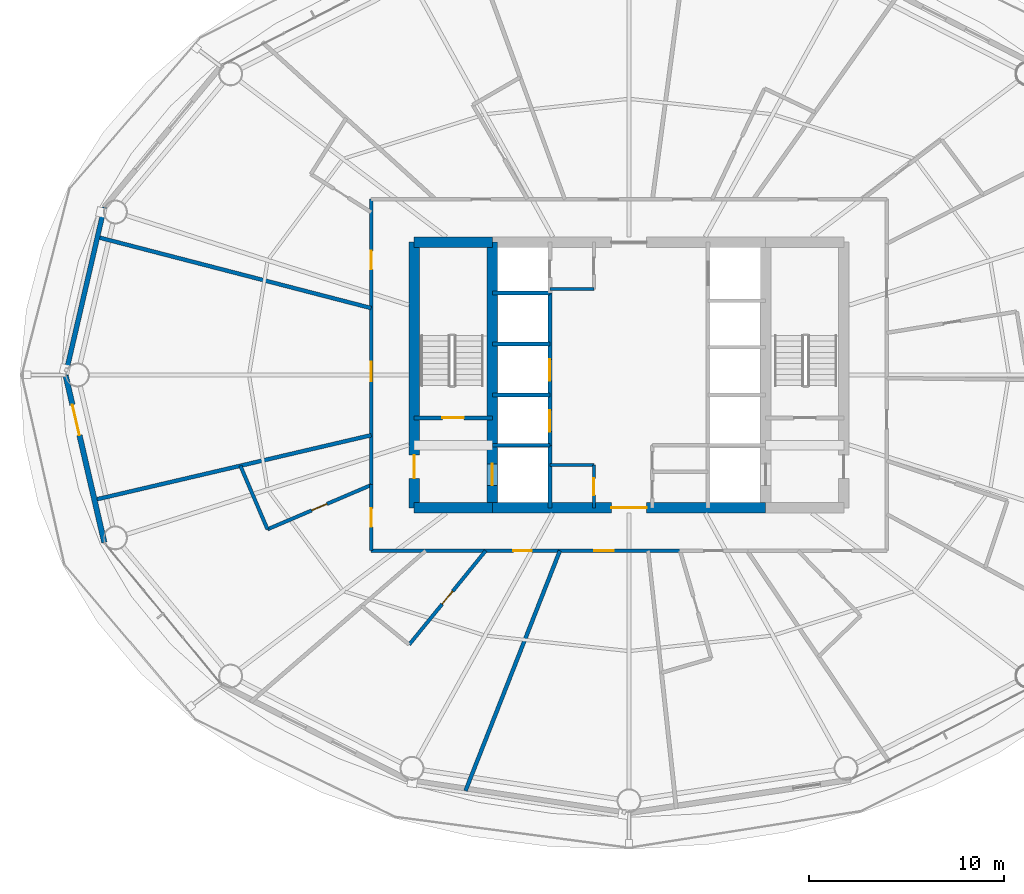
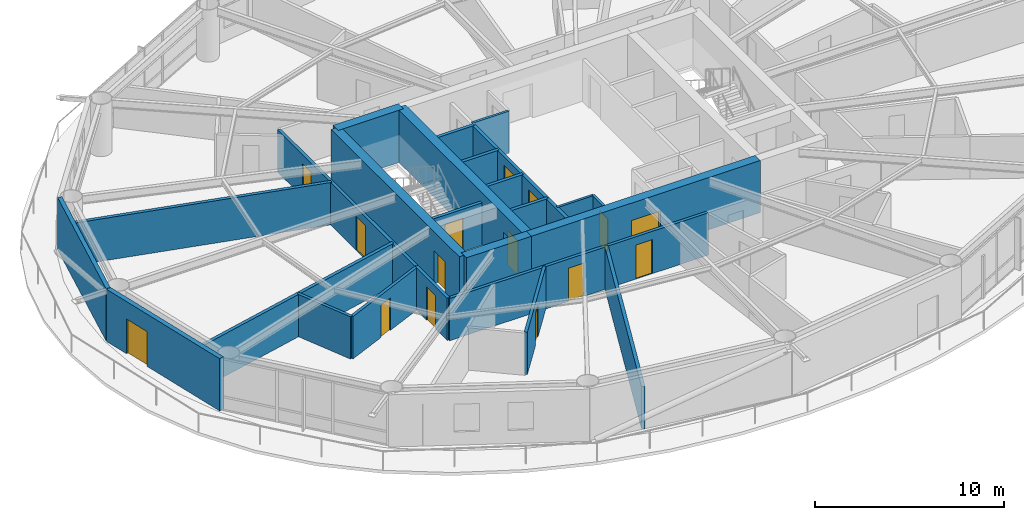
# One storey, part 18 of 24: 26 walls, 15 doors, 15 openings.
"""IFC4 building model written with IfcOpenShell, lengths in metres."""

from ifc_helpers import new_model, si_unit, direction, frame, frame_2d, origin, place, context, subcontext, project, spatial, rectangle, extrude, material, layer, layer_set, type_object, element, fill, save


model = new_model("IFC4")

# Units and contexts
model_context = context("Model", 3, precision=1e-05, world=origin(), true_north=direction((0.0, 1.0)))
body_context = subcontext(model_context, "Body", "Model", "MODEL_VIEW")
ifc_project = project(units=[si_unit("LENGTHUNIT", "METRE"), si_unit("AREAUNIT", "SQUARE_METRE"), si_unit("VOLUMEUNIT", "CUBIC_METRE"), si_unit("PLANEANGLEUNIT", "RADIAN"), si_unit("MASSUNIT", "GRAM", prefix="KILO")], contexts=[model_context])

# Site, building, storey
site_placement = place(None, origin())
site = spatial("IfcSite", under=ifc_project, at=site_placement, CompositionType="ELEMENT")
building_placement = place(site_placement, origin())
building = spatial("IfcBuilding", under=site, at=building_placement, Name="Sarneth Arch Tower", CompositionType="ELEMENT")
storey_placement = place(building_placement, frame((0.0, 0.0, 105.60009765625)))
storey = spatial("IfcBuildingStorey", under=building, at=storey_placement, Name="L26", CompositionType="ELEMENT", Elevation=105.60009765625)

# Wall
ifc_material_1 = material(Name="Concrete C60/75", Category="concrete")
ifc_layer_1 = layer(ifc_material_1, 0.550048828125)
ifc_layer_set_1 = layer_set([ifc_layer_1], Name="Concrete C60/75")
wall_type_1 = type_object("IfcWallType", Name="WALL-CORE-550", PredefinedType="SHEAR", material=ifc_layer_set_1)
wall_1_placement = place(storey_placement, frame((37.0, 35.199951171875, 0.0), z_axis=(0.0, 0.0, 1.0), x_axis=(1.0, 0.0, 0.0)))
element("IfcWall", 1, at=wall_1_placement, inside=storey, type_object=wall_type_1, Name="L26 Core shear wall S-W", PredefinedType="SHEAR", context=body_context, shape_type="SweptSolid", body=[
    extrude(rectangle(XDim=4.0, YDim=0.550048828125, at=frame_2d((2.0, 0.0))), origin(), (0.0, 0.0, 1.0), 3.3798828125),
])

# Wall, opening, door
wall_2_placement = place(storey_placement, frame((41.0, 35.199951171875, 0.0), z_axis=(0.0, 0.0, 1.0), x_axis=(1.0, 0.0, 0.0)))
wall_2 = element("IfcWall", 2, at=wall_2_placement, inside=storey, type_object=wall_type_1, Name="L26 Core shear wall S-M", PredefinedType="SHEAR", context=body_context, shape_type="SweptSolid", body=[
    extrude(rectangle(XDim=14.0, YDim=0.550048828125, at=frame_2d((7.0, 0.0))), origin(), (0.0, 0.0, 1.0), 3.3798828125),
])
opening_1_placement = place(wall_2_placement, frame((6.10009765625, 0.0, 0.0)))
opening_1 = element("IfcOpeningElement", 3, at=opening_1_placement, cuts=wall_2, Name="Opening FD-01", PredefinedType="OPENING", context=body_context, shape_type="SweptSolid", body=[
    extrude(rectangle(XDim=1.800048828125, YDim=2.25, at=frame_2d((0.89990234375, 1.125))), frame((0.0, 0.284912109375, 0.0), z_axis=(0.0, -1.0, 0.0), x_axis=(1.0, 0.0, 0.0)), (0.0, 0.0, 1.0), 0.570068359375),
])
ifc_material_2 = material(Name="Galvanised Steel S275 fire door set", Category="steel")
door_type_1 = type_object("IfcDoorType", Name="DR-FD90-1800", OperationType="DOUBLE_DOOR_SINGLE_SWING", PredefinedType="DOOR", material=ifc_material_2)
door_1_placement = place(opening_1_placement, origin())
door_1 = element("IfcDoor", 4, at=door_1_placement, inside=storey, type_object=door_type_1, Name="L26 Central lift lobby south door", OperationType="DOUBLE_DOOR_SINGLE_SWING", OverallHeight=2.25, OverallWidth=1.800048828125, PredefinedType="DOOR", context=body_context, shape_type="SweptSolid", body=[
    extrude(rectangle(XDim=1.800048828125, YDim=2.25, at=frame_2d((0.89990234375, 1.125))), frame((0.0, 0.02490234375, 0.0), z_axis=(0.0, -1.0, 0.0), x_axis=(1.0, 0.0, 0.0)), (0.0, 0.0, 1.0), 0.050048828125),
])
fill(opening_1, door_1)

# Wall
wall_3_placement = place(storey_placement, frame((37.0, 48.800048828125, 0.0), z_axis=(0.0, 0.0, 1.0), x_axis=(1.0, 0.0, 0.0)))
element("IfcWall", 5, at=wall_3_placement, inside=storey, type_object=wall_type_1, Name="L26 Core shear wall N-W", PredefinedType="SHEAR", context=body_context, shape_type="SweptSolid", body=[
    extrude(rectangle(XDim=4.0, YDim=0.550048828125, at=frame_2d((2.0, 0.0))), origin(), (0.0, 0.0, 1.0), 3.3798828125),
])

# Wall, opening, door
wall_4_placement = place(storey_placement, frame((37.0, 35.199951171875, 0.0), z_axis=(0.0, 0.0, 1.0), x_axis=(0.0, 1.0, 0.0)))
wall_4 = element("IfcWall", 6, at=wall_4_placement, inside=storey, type_object=wall_type_1, Name="L26 Core shear wall W", PredefinedType="SHEAR", context=body_context, shape_type="SweptSolid", body=[
    extrude(rectangle(XDim=13.60009765625, YDim=0.550048828125, at=frame_2d((6.800048828125, 0.0))), origin(), (0.0, 0.0, 1.0), 3.3798828125),
])
opening_2_placement = place(wall_4_placement, frame((1.5, 0.0, 0.0)))
opening_2 = element("IfcOpeningElement", 7, at=opening_2_placement, cuts=wall_4, Name="Opening FD-02", PredefinedType="OPENING", context=body_context, shape_type="SweptSolid", body=[
    extrude(rectangle(XDim=1.199951171875, YDim=2.14990234375, at=frame_2d((0.60009765625, 1.074951171875))), frame((0.0, 0.284912109375, 0.0), z_axis=(0.0, -1.0, 0.0), x_axis=(1.0, 0.0, 0.0)), (0.0, 0.0, 1.0), 0.570068359375),
])
ifc_material_3 = material(Name="Galvanised Steel S275 fire door set", Category="steel")
door_type_2 = type_object("IfcDoorType", Name="DR-FD90-1200", OperationType="SINGLE_SWING_LEFT", PredefinedType="DOOR", material=ifc_material_3)
door_2_placement = place(opening_2_placement, origin())
door_2 = element("IfcDoor", 8, at=door_2_placement, inside=storey, type_object=door_type_2, Name="L26 Firefighting lobby 1 exit door", OperationType="SINGLE_SWING_LEFT", OverallHeight=2.14990234375, OverallWidth=1.199951171875, PredefinedType="DOOR", context=body_context, shape_type="SweptSolid", body=[
    extrude(rectangle(XDim=1.199951171875, YDim=2.14990234375, at=frame_2d((0.60009765625, 1.074951171875))), frame((0.0, 0.02490234375, 0.0), z_axis=(0.0, -1.0, 0.0), x_axis=(1.0, 0.0, 0.0)), (0.0, 0.0, 1.0), 0.050048828125),
])
fill(opening_2, door_2)

wall_5_placement = place(storey_placement, frame((41.0, 35.199951171875, 0.0), z_axis=(0.0, 0.0, 1.0), x_axis=(0.0, 1.0, 0.0)))
wall_5 = element("IfcWall", 9, at=wall_5_placement, inside=storey, type_object=wall_type_1, Name="L26 Core shear wall WEB-W", PredefinedType="SHEAR", context=body_context, shape_type="SweptSolid", body=[
    extrude(rectangle(XDim=13.60009765625, YDim=0.550048828125, at=frame_2d((6.800048828125, 0.0))), origin(), (0.0, 0.0, 1.0), 3.3798828125),
])
opening_3_placement = place(wall_5_placement, frame((1.14990234375, 0.0, 0.0)))
opening_3 = element("IfcOpeningElement", 10, at=opening_3_placement, cuts=wall_5, Name="Opening LD-1", PredefinedType="OPENING", context=body_context, shape_type="SweptSolid", body=[
    extrude(rectangle(XDim=1.10009765625, YDim=2.199951171875, at=frame_2d((0.550048828125, 1.10009765625))), frame((0.0, 0.284912109375, 0.0), z_axis=(0.0, -1.0, 0.0), x_axis=(1.0, 0.0, 0.0)), (0.0, 0.0, 1.0), 0.570068359375),
])
ifc_material_4 = material(Name="Brushed Stainless Steel 304 lift landing door", Category="steel")
door_type_3 = type_object("IfcDoorType", Name="DR-LIFT-SLIDE-1100", OperationType="SLIDING_TO_LEFT", PredefinedType="DOOR", material=ifc_material_4)
door_3_placement = place(opening_3_placement, origin())
door_3 = element("IfcDoor", 11, at=door_3_placement, inside=storey, type_object=door_type_3, Name="L26 Firefighting lift landing door FL-1", OperationType="SLIDING_TO_LEFT", OverallHeight=2.199951171875, OverallWidth=1.10009765625, PredefinedType="DOOR", context=body_context, shape_type="SweptSolid", body=[
    extrude(rectangle(XDim=1.10009765625, YDim=2.199951171875, at=frame_2d((0.550048828125, 1.10009765625))), frame((0.0, 0.02490234375, 0.0), z_axis=(0.0, -1.0, 0.0), x_axis=(1.0, 0.0, 0.0)), (0.0, 0.0, 1.0), 0.050048828125),
])
fill(opening_3, door_3)

# Wall, openings, doors
ifc_material_5 = material(Name="Double steel-stud corridor fire wall", Category="steel")
ifc_layer_2 = layer(ifc_material_5, 0.18994140625)
ifc_layer_set_2 = layer_set([ifc_layer_2], Name="Double steel-stud corridor fire wall")
wall_type_2 = type_object("IfcWallType", Name="WALL-CORR-190", PredefinedType="PARTITIONING", material=ifc_layer_set_2)
wall_6_placement = place(storey_placement, frame((34.800048828125, 36.32861328125, 0.0), z_axis=(0.0, 0.0, 1.0), x_axis=(0.0, 1.0, 0.0)))
wall_6 = element("IfcWall", 12, at=wall_6_placement, inside=storey, type_object=wall_type_2, Name="L26 Interior partition W-L26-TP-012", PredefinedType="PARTITIONING", context=body_context, shape_type="SweptSolid", body=[
    extrude(rectangle(XDim=14.67138671875, YDim=0.18994140625, at=frame_2d((7.335693359375, 0.0))), origin(), (0.0, 0.0, 1.0), 2.739990234375),
])
opening_4_placement = place(wall_6_placement, frame((5.3408203125, 0.0, 0.0)))
opening_4 = element("IfcOpeningElement", 13, at=opening_4_placement, cuts=wall_6, Name="Opening FD-08", PredefinedType="OPENING", context=body_context, shape_type="SweptSolid", body=[
    extrude(rectangle(XDim=1.0, YDim=2.199951171875, at=frame_2d((0.5, 1.10009765625))), frame((0.0, 0.10498046875, 0.0), z_axis=(0.0, -1.0, 0.0), x_axis=(1.0, 0.0, 0.0)), (0.0, 0.0, 1.0), 0.2099609375),
])
opening_5_placement = place(wall_6_placement, frame((11.076416015625, 0.0, 0.0)))
opening_5 = element("IfcOpeningElement", 14, at=opening_5_placement, cuts=wall_6, Name="Opening FD-09", PredefinedType="OPENING", context=body_context, shape_type="SweptSolid", body=[
    extrude(rectangle(XDim=0.949951171875, YDim=2.14990234375, at=frame_2d((0.47509765625, 1.074951171875))), frame((0.0, 0.10498046875, 0.0), z_axis=(0.0, -1.0, 0.0), x_axis=(1.0, 0.0, 0.0)), (0.0, 0.0, 1.0), 0.2099609375),
])
ifc_material_6 = material(Name="Hardwood timber acoustic fire door", Category="wood")
door_type_4 = type_object("IfcDoorType", Name="DR-FD60-1000", OperationType="SINGLE_SWING_LEFT", PredefinedType="DOOR", material=ifc_material_6)
door_4_placement = place(opening_4_placement, origin())
door_4 = element("IfcDoor", 15, at=door_4_placement, inside=storey, type_object=door_type_4, Name="L26 Interior door DR-L26-AMN-06", OperationType="SINGLE_SWING_RIGHT", OverallHeight=2.199951171875, OverallWidth=1.0, PredefinedType="DOOR", context=body_context, shape_type="SweptSolid", body=[
    extrude(rectangle(XDim=1.0, YDim=2.199951171875, at=frame_2d((0.5, 1.10009765625))), frame((0.0, 0.02490234375, 0.0), z_axis=(0.0, -1.0, 0.0), x_axis=(1.0, 0.0, 0.0)), (0.0, 0.0, 1.0), 0.050048828125),
])
fill(opening_4, door_4)
ifc_material_7 = material(Name="Hardwood timber hotel entrance fire door", Category="wood")
door_type_5 = type_object("IfcDoorType", Name="DR-FD60-950", OperationType="SINGLE_SWING_RIGHT", PredefinedType="DOOR", material=ifc_material_7)
door_5_placement = place(opening_5_placement, origin())
door_5 = element("IfcDoor", 16, at=door_5_placement, inside=storey, type_object=door_type_5, Name="L26 Interior door DR-L26-KEY-05", OperationType="SINGLE_SWING_LEFT", OverallHeight=2.14990234375, OverallWidth=0.949951171875, PredefinedType="DOOR", context=body_context, shape_type="SweptSolid", body=[
    extrude(rectangle(XDim=0.949951171875, YDim=2.14990234375, at=frame_2d((0.47509765625, 1.074951171875))), frame((0.0, 0.02490234375, 0.0), z_axis=(0.0, -1.0, 0.0), x_axis=(1.0, 0.0, 0.0)), (0.0, 0.0, 1.0), 0.050048828125),
])
fill(opening_5, door_5)

wall_7_placement = place(storey_placement, frame((50.64794921875, 33.0, 0.0), z_axis=(0.0, 0.0, 1.0), x_axis=(-1.0, 0.0, 0.0)))
wall_7 = element("IfcWall", 17, at=wall_7_placement, inside=storey, type_object=wall_type_2, Name="L26 Interior partition W-L26-TP-018", PredefinedType="PARTITIONING", context=body_context, shape_type="SweptSolid", body=[
    extrude(rectangle(XDim=15.847900390625, YDim=0.18994140625, at=frame_2d((7.923828125, 0.0))), origin(), (0.0, 0.0, 1.0), 2.739990234375),
])
opening_6_placement = place(wall_7_placement, frame((3.427001953125, 0.0, 0.0)))
opening_6 = element("IfcOpeningElement", 18, at=opening_6_placement, cuts=wall_7, Name="Opening FD-08", PredefinedType="OPENING", context=body_context, shape_type="SweptSolid", body=[
    extrude(rectangle(XDim=1.0, YDim=2.199951171875, at=frame_2d((0.5, 1.10009765625))), frame((0.0, 0.10498046875, 0.0), z_axis=(0.0, -1.0, 0.0), x_axis=(1.0, 0.0, 0.0)), (0.0, 0.0, 1.0), 0.2099609375),
])
opening_7_placement = place(wall_7_placement, frame((7.613525390625, 0.0, 0.0)))
opening_7 = element("IfcOpeningElement", 19, at=opening_7_placement, cuts=wall_7, Name="Opening FD-09", PredefinedType="OPENING", context=body_context, shape_type="SweptSolid", body=[
    extrude(rectangle(XDim=0.949951171875, YDim=2.14990234375, at=frame_2d((0.47509765625, 1.074951171875))), frame((0.0, 0.10498046875, 0.0), z_axis=(0.0, -1.0, 0.0), x_axis=(1.0, 0.0, 0.0)), (0.0, 0.0, 1.0), 0.2099609375),
])
door_6_placement = place(opening_6_placement, origin())
door_6 = element("IfcDoor", 20, at=door_6_placement, inside=storey, type_object=door_type_4, Name="L26 Interior door DR-L26-AMN-09", OperationType="SINGLE_SWING_RIGHT", OverallHeight=2.199951171875, OverallWidth=1.0, PredefinedType="DOOR", context=body_context, shape_type="SweptSolid", body=[
    extrude(rectangle(XDim=1.0, YDim=2.199951171875, at=frame_2d((0.5, 1.10009765625))), frame((0.0, 0.02490234375, 0.0), z_axis=(0.0, -1.0, 0.0), x_axis=(1.0, 0.0, 0.0)), (0.0, 0.0, 1.0), 0.050048828125),
])
fill(opening_6, door_6)
door_7_placement = place(opening_7_placement, origin())
door_7 = element("IfcDoor", 21, at=door_7_placement, inside=storey, type_object=door_type_5, Name="L26 Interior door DR-L26-KEY-08", OperationType="SINGLE_SWING_RIGHT", OverallHeight=2.14990234375, OverallWidth=0.949951171875, PredefinedType="DOOR", context=body_context, shape_type="SweptSolid", body=[
    extrude(rectangle(XDim=0.949951171875, YDim=2.14990234375, at=frame_2d((0.47509765625, 1.074951171875))), frame((0.0, 0.02490234375, 0.0), z_axis=(0.0, -1.0, 0.0), x_axis=(1.0, 0.0, 0.0)), (0.0, 0.0, 1.0), 0.050048828125),
])
fill(opening_7, door_7)

# Wall, opening, door
wall_8_placement = place(storey_placement, frame((34.800048828125, 33.0, 0.0), z_axis=(0.0, 0.0, 1.0), x_axis=(0.0, 1.0, 0.0)))
wall_8 = element("IfcWall", 22, at=wall_8_placement, inside=storey, type_object=wall_type_2, Name="L26 Interior partition W-L26-TP-014", PredefinedType="PARTITIONING", context=body_context, shape_type="SweptSolid", body=[
    extrude(rectangle(XDim=3.398193359375, YDim=0.18994140625, at=frame_2d((1.69921875, 0.0))), origin(), (0.0, 0.0, 1.0), 2.739990234375),
])
opening_8_placement = place(wall_8_placement, frame((1.22412109375, 0.0, 0.0)))
opening_8 = element("IfcOpeningElement", 23, at=opening_8_placement, cuts=wall_8, Name="Opening FD-09", PredefinedType="OPENING", context=body_context, shape_type="SweptSolid", body=[
    extrude(rectangle(XDim=0.949951171875, YDim=2.14990234375, at=frame_2d((0.47509765625, 1.074951171875))), frame((0.0, 0.10498046875, 0.0), z_axis=(0.0, -1.0, 0.0), x_axis=(1.0, 0.0, 0.0)), (0.0, 0.0, 1.0), 0.2099609375),
])
door_8_placement = place(opening_8_placement, origin())
door_8 = element("IfcDoor", 24, at=door_8_placement, inside=storey, type_object=door_type_5, Name="L26 Interior door DR-L26-KEY-07", OperationType="SINGLE_SWING_LEFT", OverallHeight=2.14990234375, OverallWidth=0.949951171875, PredefinedType="DOOR", context=body_context, shape_type="SweptSolid", body=[
    extrude(rectangle(XDim=0.949951171875, YDim=2.14990234375, at=frame_2d((0.47509765625, 1.074951171875))), frame((0.0, 0.02490234375, 0.0), z_axis=(0.0, -1.0, 0.0), x_axis=(1.0, 0.0, 0.0)), (0.0, 0.0, 1.0), 0.050048828125),
])
fill(opening_8, door_8)

# Wall
ifc_material_8 = material(Name="Extruded terracotta rainscreen on Concrete C40/50 backing", Category="masonry")
ifc_layer_3 = layer(ifc_material_8, 0.25)
ifc_layer_set_3 = layer_set([ifc_layer_3], Name="Extruded terracotta rainscreen on Concrete C40/50 backing")
wall_type_3 = type_object("IfcWallType", Name="WALL-EXT-SPAND-250", PredefinedType="SOLIDWALL", material=ifc_layer_set_3)
wall_9_placement = place(storey_placement, frame((21.138671875, 50.58349609375, 0.0), z_axis=(0.0, 0.0, 1.0), x_axis=(-0.22558597182, -0.974223264616, 0.0)))
element("IfcWall", 25, at=wall_9_placement, inside=storey, type_object=wall_type_3, Name="L26 Terracotta perimeter wall 08", PredefinedType="SOLIDWALL", context=body_context, shape_type="SweptSolid", body=[
    extrude(rectangle(XDim=8.810546875, YDim=0.25, at=frame_2d((4.4052734375, 0.0))), origin(), (0.0, 0.0, 1.0), 3.3798828125),
])

# Wall, opening, door
ifc_material_9 = material(Name="Extruded terracotta rainscreen on Concrete C40/50 backing", Category="masonry")
ifc_layer_4 = layer(ifc_material_9, 0.280029296875)
ifc_layer_set_4 = layer_set([ifc_layer_4], Name="Extruded terracotta rainscreen on Concrete C40/50 backing")
wall_type_4 = type_object("IfcWallType", Name="WALL-EXT-TERRA-280", PredefinedType="SOLIDWALL", material=ifc_layer_set_4)
wall_10_placement = place(storey_placement, frame((19.151123046875, 42.0, 0.0), z_axis=(0.0, 0.0, 1.0), x_axis=(0.22558597182, -0.974223264616, 0.0)))
wall_10 = element("IfcWall", 26, at=wall_10_placement, inside=storey, type_object=wall_type_4, Name="L26 Terracotta perimeter wall 09", PredefinedType="SOLIDWALL", context=body_context, shape_type="SweptSolid", body=[
    extrude(rectangle(XDim=8.810546875, YDim=0.280029296875, at=frame_2d((4.4052734375, 0.0))), origin(), (0.0, 0.0, 1.0), 3.3798828125),
])
opening_9_placement = place(wall_10_placement, frame((1.568115234375, 0.0, 0.0)))
opening_9 = element("IfcOpeningElement", 27, at=opening_9_placement, cuts=wall_10, Name="Opening BD-1", PredefinedType="OPENING", context=body_context, shape_type="SweptSolid", body=[
    extrude(rectangle(XDim=1.60009765625, YDim=2.25, at=frame_2d((0.800048828125, 1.125))), frame((0.0, 0.14990234375, 0.0), z_axis=(0.0, -1.0, 0.0), x_axis=(1.0, 0.0, 0.0)), (0.0, 0.0, 1.0), 0.300048828125),
])
ifc_material_10 = material(Name="Thermally broken Aluminium 6063-T6 and laminated safety glass", Category="aluminium")
door_type_6 = type_object("IfcDoorType", Name="DR-BALC-GLZ-1600", OperationType="DOUBLE_DOOR_SINGLE_SWING", PredefinedType="DOOR", material=ifc_material_10)
door_9_placement = place(opening_9_placement, origin())
door_9 = element("IfcDoor", 28, at=door_9_placement, inside=storey, type_object=door_type_6, Name="L26 Balcony glazed door 09", OperationType="DOUBLE_DOOR_SINGLE_SWING", OverallHeight=2.25, OverallWidth=1.60009765625, PredefinedType="DOOR", context=body_context, shape_type="SweptSolid", body=[
    extrude(rectangle(XDim=1.60009765625, YDim=2.25, at=frame_2d((0.800048828125, 1.125))), frame((0.0, 0.02490234375, 0.0), z_axis=(0.0, -1.0, 0.0), x_axis=(1.0, 0.0, 0.0)), (0.0, 0.0, 1.0), 0.050048828125),
])
fill(opening_9, door_9)

# Wall
ifc_material_11 = material(Name="Acoustic gypsum stud partition", Category="gypsum")
ifc_layer_5 = layer(ifc_material_11, 0.14990234375)
ifc_layer_set_5 = layer_set([ifc_layer_5], Name="Acoustic gypsum stud partition")
wall_type_5 = type_object("IfcWallType", Name="WALL-PART-150", PredefinedType="PARTITIONING", material=ifc_layer_set_5)
wall_11_placement = place(storey_placement, frame((43.949951171875, 37.39990234375, 0.0), z_axis=(0.0, 0.0, 1.0), x_axis=(1.0, 0.0, 0.0)))
element("IfcWall", 29, at=wall_11_placement, inside=storey, type_object=wall_type_5, Name="L26 Interior partition W-L26-CSUP1-N", PredefinedType="PARTITIONING", context=body_context, shape_type="SweptSolid", body=[
    extrude(rectangle(XDim=2.25, YDim=0.14990234375, at=frame_2d((1.125, 0.0))), origin(), (0.0, 0.0, 1.0), 2.739990234375),
])

# Wall, opening, door
wall_12_placement = place(storey_placement, frame((46.199951171875, 35.199951171875, 0.0), z_axis=(0.0, 0.0, 1.0), x_axis=(0.0, 1.0, 0.0)))
wall_12 = element("IfcWall", 30, at=wall_12_placement, inside=storey, type_object=wall_type_5, Name="L26 Interior partition W-L26-CSUP1-E", PredefinedType="PARTITIONING", context=body_context, shape_type="SweptSolid", body=[
    extrude(rectangle(XDim=2.199951171875, YDim=0.14990234375, at=frame_2d((1.10009765625, 0.0))), origin(), (0.0, 0.0, 1.0), 2.739990234375),
])
opening_10_placement = place(wall_12_placement, frame((0.64990234375, 0.0, 0.0)))
opening_10 = element("IfcOpeningElement", 31, at=opening_10_placement, cuts=wall_12, Name="Opening FD-11", PredefinedType="OPENING", context=body_context, shape_type="SweptSolid", body=[
    extrude(rectangle(XDim=0.85009765625, YDim=2.14990234375, at=frame_2d((0.425048828125, 1.074951171875))), frame((0.0, 0.0849609375, 0.0), z_axis=(0.0, -1.0, 0.0), x_axis=(1.0, 0.0, 0.0)), (0.0, 0.0, 1.0), 0.169921875),
])
ifc_material_12 = material(Name="Galvanised Steel S275 closet fire door", Category="steel")
door_type_7 = type_object("IfcDoorType", Name="DR-FD60-850", OperationType="SINGLE_SWING_LEFT", PredefinedType="DOOR", material=ifc_material_12)
door_10_placement = place(opening_10_placement, origin())
door_10 = element("IfcDoor", 32, at=door_10_placement, inside=storey, type_object=door_type_7, Name="L26 Interior door DR-L26-CSUP1", OperationType="SINGLE_SWING_LEFT", OverallHeight=2.14990234375, OverallWidth=0.85009765625, PredefinedType="DOOR", context=body_context, shape_type="SweptSolid", body=[
    extrude(rectangle(XDim=0.85009765625, YDim=2.14990234375, at=frame_2d((0.425048828125, 1.074951171875))), frame((0.0, 0.02490234375, 0.0), z_axis=(0.0, -1.0, 0.0), x_axis=(1.0, 0.0, 0.0)), (0.0, 0.0, 1.0), 0.050048828125),
])
fill(opening_10, door_10)

# Wall
wall_13_placement = place(storey_placement, frame((43.949951171875, 46.39990234375, 0.0), z_axis=(0.0, 0.0, 1.0), x_axis=(1.0, 0.0, 0.0)))
element("IfcWall", 33, at=wall_13_placement, inside=storey, type_object=wall_type_5, Name="L26 Interior partition W-L26-CSUP2-S", PredefinedType="PARTITIONING", context=body_context, shape_type="SweptSolid", body=[
    extrude(rectangle(XDim=2.25, YDim=0.14990234375, at=frame_2d((1.125, 0.0))), origin(), (0.0, 0.0, 1.0), 2.739990234375),
])

# Wall, opening, door
ifc_material_13 = material(Name="Moisture-resistant plumbing chase wall", Category="gypsum")
ifc_layer_6 = layer(ifc_material_13, 0.179931640625)
ifc_layer_set_6 = layer_set([ifc_layer_6], Name="Moisture-resistant plumbing chase wall")
wall_type_6 = type_object("IfcWallType", Name="WALL-PLUMB-180", PredefinedType="PLUMBINGWALL", material=ifc_layer_set_6)
wall_14_placement = place(storey_placement, frame((40.663818359375, 33.0, 0.0), z_axis=(0.0, 0.0, 1.0), x_axis=(-0.631841179317, -0.775097880347, 0.0)))
wall_14 = element("IfcWall", 34, at=wall_14_placement, inside=storey, type_object=wall_type_6, Name="L26 Interior partition W-L26-TP-052", PredefinedType="PLUMBINGWALL", context=body_context, shape_type="SweptSolid", body=[
    extrude(rectangle(XDim=6.20166015625, YDim=0.179931640625, at=frame_2d((3.100830078125, 0.0))), origin(), (0.0, 0.0, 1.0), 2.739990234375),
])
opening_11_placement = place(wall_14_placement, frame((2.67578125, 0.0, 0.0)))
opening_11 = element("IfcOpeningElement", 35, at=opening_11_placement, cuts=wall_14, Name="Opening ID-02", PredefinedType="OPENING", context=body_context, shape_type="SweptSolid", body=[
    extrude(rectangle(XDim=0.85009765625, YDim=2.10009765625, at=frame_2d((0.425048828125, 1.050048828125))), frame((0.0, 0.099853515625, 0.0), z_axis=(0.0, -1.0, 0.0), x_axis=(1.0, 0.0, 0.0)), (0.0, 0.0, 1.0), 0.199951171875),
])
ifc_material_14 = material(Name="Moisture-resistant bathroom timber door", Category="wood")
door_type_8 = type_object("IfcDoorType", Name="DR-INT-850", OperationType="SINGLE_SWING_RIGHT", PredefinedType="DOOR", material=ifc_material_14)
door_11_placement = place(opening_11_placement, origin())
door_11 = element("IfcDoor", 36, at=door_11_placement, inside=storey, type_object=door_type_8, Name="L26 Interior door DR-L26-ENS-08", OperationType="SINGLE_SWING_RIGHT", OverallHeight=2.10009765625, OverallWidth=0.85009765625, PredefinedType="DOOR", context=body_context, shape_type="SweptSolid", body=[
    extrude(rectangle(XDim=0.85009765625, YDim=2.10009765625, at=frame_2d((0.425048828125, 1.050048828125))), frame((0.0, 0.02490234375, 0.0), z_axis=(0.0, -1.0, 0.0), x_axis=(1.0, 0.0, 0.0)), (0.0, 0.0, 1.0), 0.050048828125),
])
fill(opening_11, door_11)

wall_15_placement = place(storey_placement, frame((29.492919921875, 34.097412109375, 0.0), z_axis=(0.0, 0.0, 1.0), x_axis=(0.919684682014, 0.392657720755, 0.0)))
wall_15 = element("IfcWall", 37, at=wall_15_placement, inside=storey, type_object=wall_type_6, Name="L26 Interior partition W-L26-TP-049", PredefinedType="PLUMBINGWALL", context=body_context, shape_type="SweptSolid", body=[
    extrude(rectangle(XDim=5.7705078125, YDim=0.179931640625, at=frame_2d((2.88525390625, 0.0))), origin(), (0.0, 0.0, 1.0), 2.739990234375),
])
opening_12_placement = place(wall_15_placement, frame((2.460205078125, 0.0, 0.0)))
opening_12 = element("IfcOpeningElement", 38, at=opening_12_placement, cuts=wall_15, Name="Opening ID-02", PredefinedType="OPENING", context=body_context, shape_type="SweptSolid", body=[
    extrude(rectangle(XDim=0.85009765625, YDim=2.10009765625, at=frame_2d((0.425048828125, 1.050048828125))), frame((0.0, 0.099853515625, 0.0), z_axis=(0.0, -1.0, 0.0), x_axis=(1.0, 0.0, 0.0)), (0.0, 0.0, 1.0), 0.199951171875),
])
door_12_placement = place(opening_12_placement, origin())
door_12 = element("IfcDoor", 39, at=door_12_placement, inside=storey, type_object=door_type_8, Name="L26 Interior door DR-L26-ENS-07", OperationType="SINGLE_SWING_RIGHT", OverallHeight=2.10009765625, OverallWidth=0.85009765625, PredefinedType="DOOR", context=body_context, shape_type="SweptSolid", body=[
    extrude(rectangle(XDim=0.85009765625, YDim=2.10009765625, at=frame_2d((0.425048828125, 1.050048828125))), frame((0.0, 0.02490234375, 0.0), z_axis=(0.0, -1.0, 0.0), x_axis=(1.0, 0.0, 0.0)), (0.0, 0.0, 1.0), 0.050048828125),
])
fill(opening_12, door_12)

# Wall
wall_16_placement = place(storey_placement, frame((28.10400390625, 37.350341796875, 0.0), z_axis=(0.0, 0.0, 1.0), x_axis=(0.392677696951, -0.919676152957, 0.0)))
element("IfcWall", 40, at=wall_16_placement, inside=storey, type_object=wall_type_6, Name="L26 Interior partition W-L26-TP-048", PredefinedType="PLUMBINGWALL", context=body_context, shape_type="SweptSolid", body=[
    extrude(rectangle(XDim=3.537109375, YDim=0.179931640625, at=frame_2d((1.7685546875, 0.0))), origin(), (0.0, 0.0, 1.0), 2.739990234375),
])

# Wall, opening, door
ifc_material_15 = material(Name="Aerated concrete blockwork C25/30", Category="masonry")
ifc_layer_7 = layer(ifc_material_15, 0.199951171875)
ifc_layer_set_7 = layer_set([ifc_layer_7], Name="Aerated concrete blockwork C25/30")
wall_type_7 = type_object("IfcWallType", Name="WALL-SHAFT-200", PredefinedType="SOLIDWALL", material=ifc_layer_set_7)
wall_17_placement = place(storey_placement, frame((37.0, 39.800048828125, 0.0), z_axis=(0.0, 0.0, 1.0), x_axis=(1.0, 0.0, 0.0)))
wall_17 = element("IfcWall", 41, at=wall_17_placement, inside=storey, type_object=wall_type_7, Name="L26 Interior partition W-L26-ST1-S", PredefinedType="SOLIDWALL", context=body_context, shape_type="SweptSolid", body=[
    extrude(rectangle(XDim=4.0, YDim=0.199951171875, at=frame_2d((2.0, 0.0))), origin(), (0.0, 0.0, 1.0), 2.739990234375),
])
opening_13_placement = place(wall_17_placement, frame((1.449951171875, 0.0, 0.0)))
opening_13 = element("IfcOpeningElement", 42, at=opening_13_placement, cuts=wall_17, Name="Opening FD-03", PredefinedType="OPENING", context=body_context, shape_type="SweptSolid", body=[
    extrude(rectangle(XDim=1.10009765625, YDim=2.14990234375, at=frame_2d((0.550048828125, 1.074951171875))), frame((0.0, 0.10986328125, 0.0), z_axis=(0.0, -1.0, 0.0), x_axis=(1.0, 0.0, 0.0)), (0.0, 0.0, 1.0), 0.219970703125),
])
ifc_material_16 = material(Name="Galvanised Steel S275 fire door set", Category="steel")
door_type_9 = type_object("IfcDoorType", Name="DR-FD90-1100", OperationType="SINGLE_SWING_LEFT", PredefinedType="DOOR", material=ifc_material_16)
door_13_placement = place(opening_13_placement, origin())
door_13 = element("IfcDoor", 43, at=door_13_placement, inside=storey, type_object=door_type_9, Name="L26 Interior door DR-L26-ST1", OperationType="SINGLE_SWING_LEFT", OverallHeight=2.14990234375, OverallWidth=1.10009765625, PredefinedType="DOOR", context=body_context, shape_type="SweptSolid", body=[
    extrude(rectangle(XDim=1.10009765625, YDim=2.14990234375, at=frame_2d((0.550048828125, 1.074951171875))), frame((0.0, 0.02490234375, 0.0), z_axis=(0.0, -1.0, 0.0), x_axis=(1.0, 0.0, 0.0)), (0.0, 0.0, 1.0), 0.050048828125),
])
fill(opening_13, door_13)

# Walls
wall_18_placement = place(storey_placement, frame((43.949951171875, 35.199951171875, 0.0), z_axis=(0.0, 0.0, 1.0), x_axis=(0.0, 1.0, 0.0)))
element("IfcWall", 44, at=wall_18_placement, inside=storey, type_object=wall_type_7, Name="L26 Interior partition W-L26-FL1-E", PredefinedType="SOLIDWALL", context=body_context, shape_type="SweptSolid", body=[
    extrude(rectangle(XDim=3.199951171875, YDim=0.199951171875, at=frame_2d((1.60009765625, 0.0))), origin(), (0.0, 0.0, 1.0), 2.739990234375),
])
for number, where, z_axis, x_axis, name in (
    (45, (41.0, 38.39990234375, 0.0), (0.0, 0.0, 1.0), (1.0, 0.0, 0.0), "L26 Interior partition W-L26-FL1-N"),
    (46, (41.0, 46.199951171875, 0.0), (0.0, 0.0, 1.0), (1.0, 0.0, 0.0), "L26 Interior partition W-L26-RISER-S"),
):
    element("IfcWall", number, at=place(storey_placement, frame(where, z_axis=z_axis, x_axis=x_axis)), inside=storey, type_object=wall_type_7, Name=name, PredefinedType="SOLIDWALL", context=body_context, shape_type="SweptSolid", body=[
        extrude(rectangle(XDim=2.949951171875, YDim=0.199951171875, at=frame_2d((1.47509765625, 0.0))), origin(), (0.0, 0.0, 1.0), 2.739990234375),
    ])

# Wall, openings, doors
wall_19_placement = place(storey_placement, frame((43.949951171875, 38.39990234375, 0.0), z_axis=(0.0, 0.0, 1.0), x_axis=(0.0, 1.0, 0.0)))
wall_19 = element("IfcWall", 47, at=wall_19_placement, inside=storey, type_object=wall_type_7, Name="L26 Interior partition W-L26-WESTBANK-FRONT", PredefinedType="SOLIDWALL", context=body_context, shape_type="SweptSolid", body=[
    extrude(rectangle(XDim=7.800048828125, YDim=0.199951171875, at=frame_2d((3.89990234375, 0.0))), origin(), (0.0, 0.0, 1.0), 2.739990234375),
])
opening_14_placement = place(wall_19_placement, frame((0.699951171875, 0.0, 0.0)))
opening_14 = element("IfcOpeningElement", 48, at=opening_14_placement, cuts=wall_19, Name="Opening LD-1", PredefinedType="OPENING", context=body_context, shape_type="SweptSolid", body=[
    extrude(rectangle(XDim=1.10009765625, YDim=2.199951171875, at=frame_2d((0.550048828125, 1.10009765625))), frame((0.0, 0.10986328125, 0.0), z_axis=(0.0, -1.0, 0.0), x_axis=(1.0, 0.0, 0.0)), (0.0, 0.0, 1.0), 0.219970703125),
])
opening_15_placement = place(wall_19_placement, frame((3.300048828125, 0.0, 0.0)))
opening_15 = element("IfcOpeningElement", 49, at=opening_15_placement, cuts=wall_19, Name="Opening LD-1", PredefinedType="OPENING", context=body_context, shape_type="SweptSolid", body=[
    extrude(rectangle(XDim=1.10009765625, YDim=2.199951171875, at=frame_2d((0.550048828125, 1.10009765625))), frame((0.0, 0.10986328125, 0.0), z_axis=(0.0, -1.0, 0.0), x_axis=(1.0, 0.0, 0.0)), (0.0, 0.0, 1.0), 0.219970703125),
])
door_14_placement = place(opening_14_placement, origin())
door_14 = element("IfcDoor", 50, at=door_14_placement, inside=storey, type_object=door_type_3, Name="L26 Lift landing door DR-L26-LD-PL1", OperationType="SLIDING_TO_LEFT", OverallHeight=2.199951171875, OverallWidth=1.10009765625, PredefinedType="DOOR", context=body_context, shape_type="SweptSolid", body=[
    extrude(rectangle(XDim=1.10009765625, YDim=2.199951171875, at=frame_2d((0.550048828125, 1.10009765625))), frame((0.0, 0.02490234375, 0.0), z_axis=(0.0, -1.0, 0.0), x_axis=(1.0, 0.0, 0.0)), (0.0, 0.0, 1.0), 0.050048828125),
])
fill(opening_14, door_14)
door_15_placement = place(opening_15_placement, origin())
door_15 = element("IfcDoor", 51, at=door_15_placement, inside=storey, type_object=door_type_3, Name="L26 Lift landing door DR-L26-LD-PL2", OperationType="SLIDING_TO_RIGHT", OverallHeight=2.199951171875, OverallWidth=1.10009765625, PredefinedType="DOOR", context=body_context, shape_type="SweptSolid", body=[
    extrude(rectangle(XDim=1.10009765625, YDim=2.199951171875, at=frame_2d((0.550048828125, 1.10009765625))), frame((0.0, 0.02490234375, 0.0), z_axis=(0.0, -1.0, 0.0), x_axis=(1.0, 0.0, 0.0)), (0.0, 0.0, 1.0), 0.050048828125),
])
fill(opening_15, door_15)

# Walls
for number, where, z_axis, x_axis, name in (
    (52, (41.0, 40.97998046875, 0.0), (0.0, 0.0, 1.0), (1.0, 0.0, 0.0), "L26 Interior partition W-L26-WB-DIV-4098"),
    (53, (41.0, 43.580078125, 0.0), (0.0, 0.0, 1.0), (1.0, 0.0, 0.0), "L26 Interior partition W-L26-WB-DIV-4358"),
):
    element("IfcWall", number, at=place(storey_placement, frame(where, z_axis=z_axis, x_axis=x_axis)), inside=storey, type_object=wall_type_7, Name=name, PredefinedType="SOLIDWALL", context=body_context, shape_type="SweptSolid", body=[
        extrude(rectangle(XDim=2.949951171875, YDim=0.199951171875, at=frame_2d((1.47509765625, 0.0))), origin(), (0.0, 0.0, 1.0), 2.739990234375),
    ])
ifc_material_17 = material(Name="Double steel-stud acoustic drywall", Category="steel")
ifc_layer_8 = layer(ifc_material_17, 0.199951171875)
ifc_layer_set_8 = layer_set([ifc_layer_8], Name="Double steel-stud acoustic drywall")
wall_type_8 = type_object("IfcWallType", Name="WALL-UNIT-200", PredefinedType="PARTITIONING", material=ifc_layer_set_8)
wall_20_placement = place(storey_placement, frame((34.800048828125, 45.423095703125, 0.0), z_axis=(0.0, 0.0, 1.0), x_axis=(-0.967976280286, 0.251041671447, 0.0)))
element("IfcWall", 54, at=wall_20_placement, inside=storey, type_object=wall_type_8, Name="L26 Interior partition W-L26-TP-045", PredefinedType="PARTITIONING", context=body_context, shape_type="SweptSolid", body=[
    extrude(rectangle(XDim=14.598388671875, YDim=0.199951171875, at=frame_2d((7.29931640625, 0.0))), origin(), (0.0, 0.0, 1.0), 2.739990234375),
])
wall_21_placement = place(storey_placement, frame((39.63037109375, 20.710693359375, 0.0), z_axis=(0.0, 0.0, 1.0), x_axis=(0.365888605627, 0.930658652929, 0.0)))
element("IfcWall", 55, at=wall_21_placement, inside=storey, type_object=wall_type_8, Name="L26 Interior partition W-L26-TP-054", PredefinedType="PARTITIONING", context=body_context, shape_type="SweptSolid", body=[
    extrude(rectangle(XDim=13.205078125, YDim=0.199951171875, at=frame_2d((6.6025390625, 0.0))), origin(), (0.0, 0.0, 1.0), 2.739990234375),
])
wall_22_placement = place(storey_placement, frame((34.800048828125, 38.915283203125, 0.0), z_axis=(0.0, 0.0, 1.0), x_axis=(-0.973762218061, -0.227567885864, 0.0)))
element("IfcWall", 56, at=wall_22_placement, inside=storey, type_object=wall_type_8, Name="L26 Interior partition W-L26-TP-046", PredefinedType="PARTITIONING", context=body_context, shape_type="SweptSolid", body=[
    extrude(rectangle(XDim=14.669921875, YDim=0.199951171875, at=frame_2d((7.3349609375, 0.0))), origin(), (0.0, 0.0, 1.0), 2.739990234375),
])

save(model, "model.ifc")
